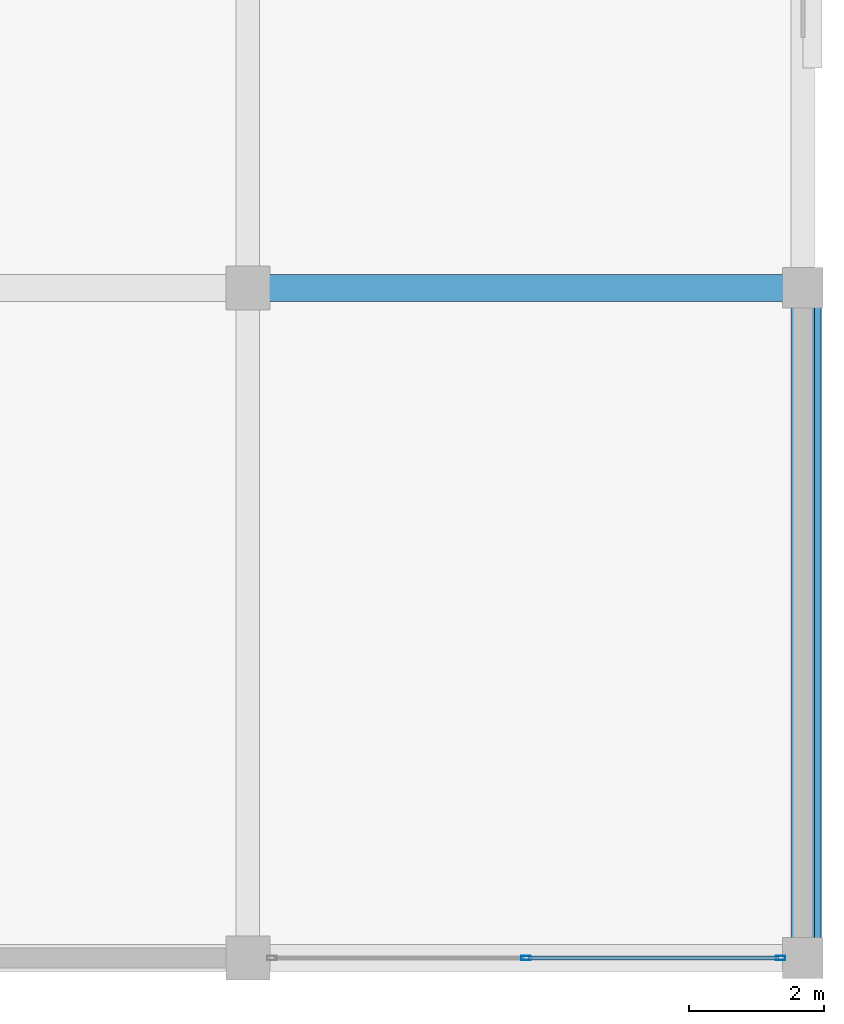
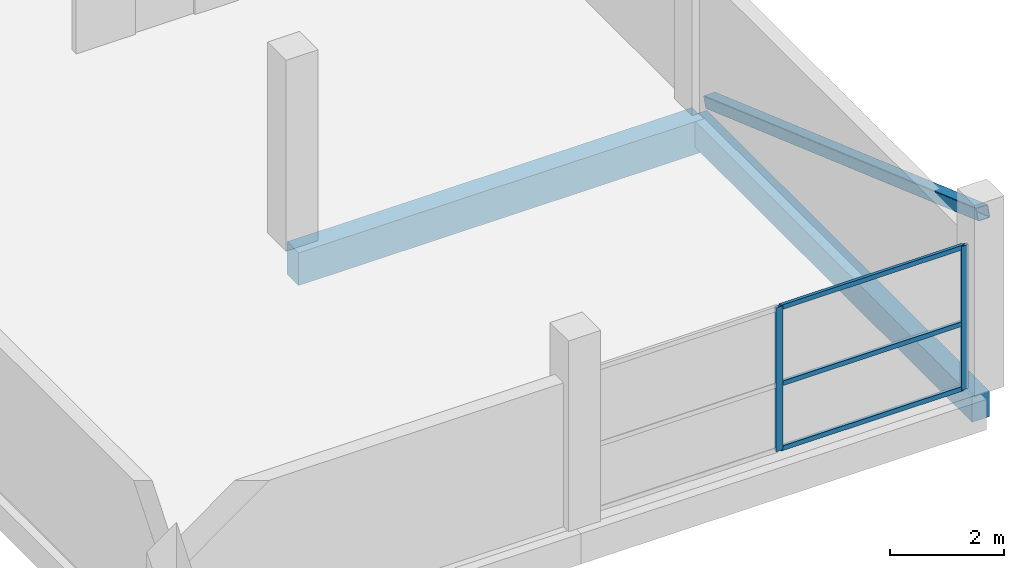
# One storey, part 15 of 70: 6 members, 2 beams, 1 element without a shape of its own.
"""IFC4 building model written with IfcOpenShell, lengths in metres."""

from ifc_helpers import new_model, si_unit, direction, frame, origin, origin_2d, place, context, subcontext, project, spatial, rectangle, hollow_rectangle, extrude, material, layer, layer_set, material_profile, profile_set, type_object, element, aggregate, save


model = new_model("IFC4")

# Units and contexts
model_context = context("Model", 3, precision=1e-05, world=origin(), true_north=direction((0.0, 1.0)))
body_context = subcontext(model_context, "Body", "Model", "MODEL_VIEW")
ifc_project = project(units=[si_unit("LENGTHUNIT", "METRE"), si_unit("AREAUNIT", "SQUARE_METRE"), si_unit("VOLUMEUNIT", "CUBIC_METRE"), si_unit("PLANEANGLEUNIT", "RADIAN"), si_unit("MASSUNIT", "GRAM", prefix="KILO")], contexts=[model_context])

# Site, building, storey
site_placement = place(None, origin())
site = spatial("IfcSite", under=ifc_project, at=site_placement, CompositionType="ELEMENT")
building_placement = place(site_placement, origin())
building = spatial("IfcBuilding", under=site, at=building_placement, Name="Sillaruma Civic Art Gallery", CompositionType="ELEMENT")
storey_placement = place(building_placement, frame((0.0, 0.0, 66.300048828125)))
storey = spatial("IfcBuildingStorey", under=building, at=storey_placement, Name="L13", CompositionType="ELEMENT", Elevation=66.300048828125)

# Beams
ifc_material_1 = material(Name="Concrete H35 (35 MPa)", Category="concrete")
ifc_material_profile_1 = material_profile(ifc_material_1, rectangle(XDim=0.39990234375, YDim=0.699951171875, at=origin_2d()), Name="RCB400x700")
ifc_profile_set_1 = profile_set([ifc_material_profile_1], Name="Concrete H35 (35 MPa)")
beam_type_1 = type_object("IfcBeamType", Name="BM-BEAM-RCB400x700", PredefinedType="BEAM", material=ifc_profile_set_1)
beam_1_placement = place(storey_placement, frame((106.199951171875, 29.699951171875, -0.580078125), z_axis=(1.0, 0.0, 0.0), x_axis=(0.0, 1.0, 0.0)))
element("IfcBeam", 1, at=beam_1_placement, inside=storey, type_object=beam_type_1, Name="Beam BM-04 (L12:4:M-N)", PredefinedType="BEAM", context=body_context, shape_type="SweptSolid", body=[
    extrude(rectangle(XDim=0.39990234375, YDim=0.699951171875, at=origin_2d()), origin(), (0.0, 0.0, 1.0), 8.199951171875),
])
ifc_material_profile_2 = material_profile(ifc_material_1, rectangle(XDim=0.35009765625, YDim=0.550048828125, at=origin_2d()), Name="RCB350x550")
ifc_profile_set_2 = profile_set([ifc_material_profile_2], Name="Concrete H35 (35 MPa)")
beam_type_2 = type_object("IfcBeamType", Name="BM-SPANDREL-RCB350x550", PredefinedType="SPANDREL", material=ifc_profile_set_2)
beam_2_placement = place(storey_placement, frame((114.39990234375, 19.800048828125, -0.505126953125), z_axis=(0.0, 1.0, 0.0), x_axis=(-1.0, 0.0, 0.0)))
element("IfcBeam", 2, at=beam_2_placement, inside=storey, type_object=beam_type_2, Name="Beam BS-04 (L12:N:3-4)", PredefinedType="SPANDREL", context=body_context, shape_type="SweptSolid", body=[
    extrude(rectangle(XDim=0.35009765625, YDim=0.550048828125, at=origin_2d()), origin(), (0.0, 0.0, 1.0), 9.89990234375),
])

# Member
ifc_material_2 = material(Name="Structural Steel ASTM A500 Gr.C", Category="steel")
ifc_material_profile_3 = material_profile(ifc_material_2, hollow_rectangle(XDim=0.25, YDim=0.25, WallThickness=0.012451171875, InnerFilletRadius=0.012451171875, OuterFilletRadius=0.02490234375, at=origin_2d()), Name="HSS250x250x12.5")
ifc_profile_set_3 = profile_set([ifc_material_profile_3], Name="Structural Steel ASTM A500 Gr.C")
member_type_1 = type_object("IfcMemberType", Name="MEM-MEGA-BRACE", PredefinedType="BRACE", material=ifc_profile_set_3)
member_1_placement = place(storey_placement, frame((114.550048828125, 29.52001953125, 0.099853515625), z_axis=(0.0, -0.942584834579, 0.33396680916), x_axis=(1.0, 0.0, 0.0)))
element("IfcMember", 3, at=member_1_placement, inside=storey, type_object=member_type_1, Name="Exterior Expressed Gallery Seismic Diagonal Brace (L13-ES)", PredefinedType="BRACE", context=body_context, shape_type="SweptSolid", body=[
    extrude(hollow_rectangle(XDim=0.25, YDim=0.25, WallThickness=0.012451171875, InnerFilletRadius=0.012451171875, OuterFilletRadius=0.02490234375, at=origin_2d()), origin(), (0.0, 0.0, 1.0), 10.12109375),
])

# Curtain wall, members
ifc_material_3 = material(Name="Thermally Broken Extruded Aluminium 6063-T6", Category="aluminium")
ifc_layer = layer(ifc_material_3, 0.139892578125, Name="Thermally Broken Extruded Aluminium 6063-T6")
ifc_layer_set = layer_set([ifc_layer], Name="Thermally Broken Extruded Aluminium 6063-T6")
curtain_wall_type = type_object("IfcCurtainWallType", Name="CW-UNI-107", PredefinedType="NOTDEFINED", material=ifc_layer_set)
curtain_wall_placement = place(storey_placement, origin())
curtain_wall = element("IfcCurtainWall", 4, at=curtain_wall_placement, inside=storey, type_object=curtain_wall_type, Name="Unitised Curtain Wall CW-107 (CW-L13-EBS-2)", PredefinedType="NOTDEFINED")
ifc_material_profile_4 = material_profile(ifc_material_3, hollow_rectangle(XDim=0.06005859375, YDim=0.139892578125, WallThickness=0.00341796875, at=origin_2d()), Name="CWM60x140")
ifc_profile_set_4 = profile_set([ifc_material_profile_4], Name="Thermally Broken Extruded Aluminium 6063-T6")
member_type_2 = type_object("IfcMemberType", Name="MEM-MUL-CWM60x140", PredefinedType="MULLION", material=ifc_profile_set_4)
member_2_placement = place(storey_placement, frame((110.3125, 19.800048828125, 0.0), z_axis=(0.0, 0.0, 1.0), x_axis=(0.0, 1.0, 0.0)))
member_2 = element("IfcMember", 5, at=member_2_placement, type_object=member_type_2, Name="CW-107 mullion 2", PredefinedType="MULLION", context=body_context, shape_type="SweptSolid", body=[
    extrude(hollow_rectangle(XDim=0.06005859375, YDim=0.139892578125, WallThickness=0.00341796875, at=origin_2d()), origin(), (0.0, 0.0, 1.0), 3.079833984375),
])
member_3_placement = place(storey_placement, frame((114.070068359375, 19.800048828125, 0.0), z_axis=(0.0, 0.0, 1.0), x_axis=(0.0, 1.0, 0.0)))
member_3 = element("IfcMember", 6, at=member_3_placement, type_object=member_type_2, Name="CW-107 mullion 3", PredefinedType="MULLION", context=body_context, shape_type="SweptSolid", body=[
    extrude(hollow_rectangle(XDim=0.06005859375, YDim=0.139892578125, WallThickness=0.00341796875, at=origin_2d()), origin(), (0.0, 0.0, 1.0), 3.079833984375),
])
ifc_material_profile_5 = material_profile(ifc_material_3, hollow_rectangle(XDim=0.06005859375, YDim=0.10009765625, WallThickness=0.003173828125, at=origin_2d()), Name="CWT60x100")
ifc_profile_set_5 = profile_set([ifc_material_profile_5], Name="Thermally Broken Extruded Aluminium 6063-T6")
member_type_3 = type_object("IfcMemberType", Name="MEM-TRN-CWT60x100", PredefinedType="USERDEFINED", material=ifc_profile_set_5)
member_4_placement = place(storey_placement, frame((110.342529296875, 19.800048828125, 0.030029296875), z_axis=(1.0, 0.0, 0.0), x_axis=(0.0, 1.0, 0.0)))
member_4 = element("IfcMember", 7, at=member_4_placement, type_object=member_type_3, Name="CW-107 transom 2.1", ObjectType="TRANSOM", PredefinedType="USERDEFINED", context=body_context, shape_type="SweptSolid", body=[
    extrude(hollow_rectangle(XDim=0.06005859375, YDim=0.10009765625, WallThickness=0.003173828125, at=origin_2d()), origin(), (0.0, 0.0, 1.0), 3.697509765625),
])
member_5_placement = place(storey_placement, frame((110.342529296875, 19.800048828125, 1.416748046875), z_axis=(1.0, 0.0, 0.0), x_axis=(0.0, 1.0, 0.0)))
member_5 = element("IfcMember", 8, at=member_5_placement, type_object=member_type_3, Name="CW-107 transom 2.2", ObjectType="TRANSOM", PredefinedType="USERDEFINED", context=body_context, shape_type="SweptSolid", body=[
    extrude(hollow_rectangle(XDim=0.06005859375, YDim=0.10009765625, WallThickness=0.003173828125, at=origin_2d()), origin(), (0.0, 0.0, 1.0), 3.697509765625),
])
member_6_placement = place(storey_placement, frame((110.342529296875, 19.800048828125, 3.050048828125), z_axis=(1.0, 0.0, 0.0), x_axis=(0.0, 1.0, 0.0)))
member_6 = element("IfcMember", 9, at=member_6_placement, type_object=member_type_3, Name="CW-107 transom 2.3", ObjectType="TRANSOM", PredefinedType="USERDEFINED", context=body_context, shape_type="SweptSolid", body=[
    extrude(hollow_rectangle(XDim=0.06005859375, YDim=0.10009765625, WallThickness=0.003173828125, at=origin_2d()), origin(), (0.0, 0.0, 1.0), 3.697509765625),
])
aggregate(curtain_wall, [member_2, member_3, member_4, member_5, member_6])

save(model, "model.ifc")
